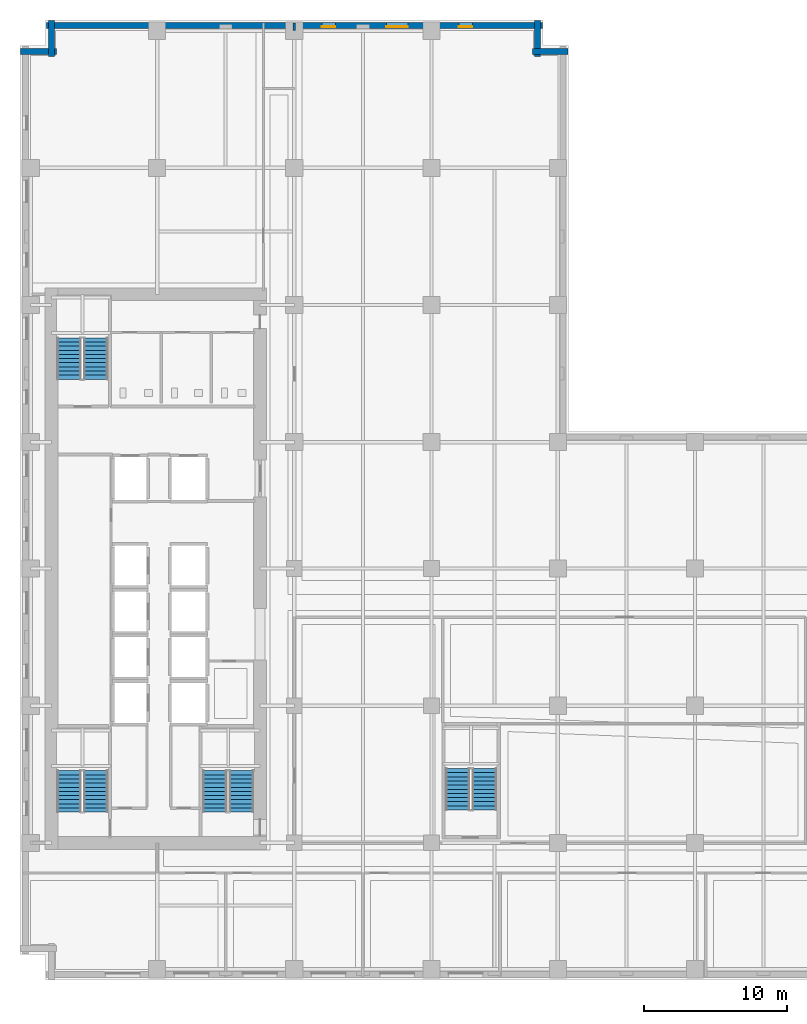
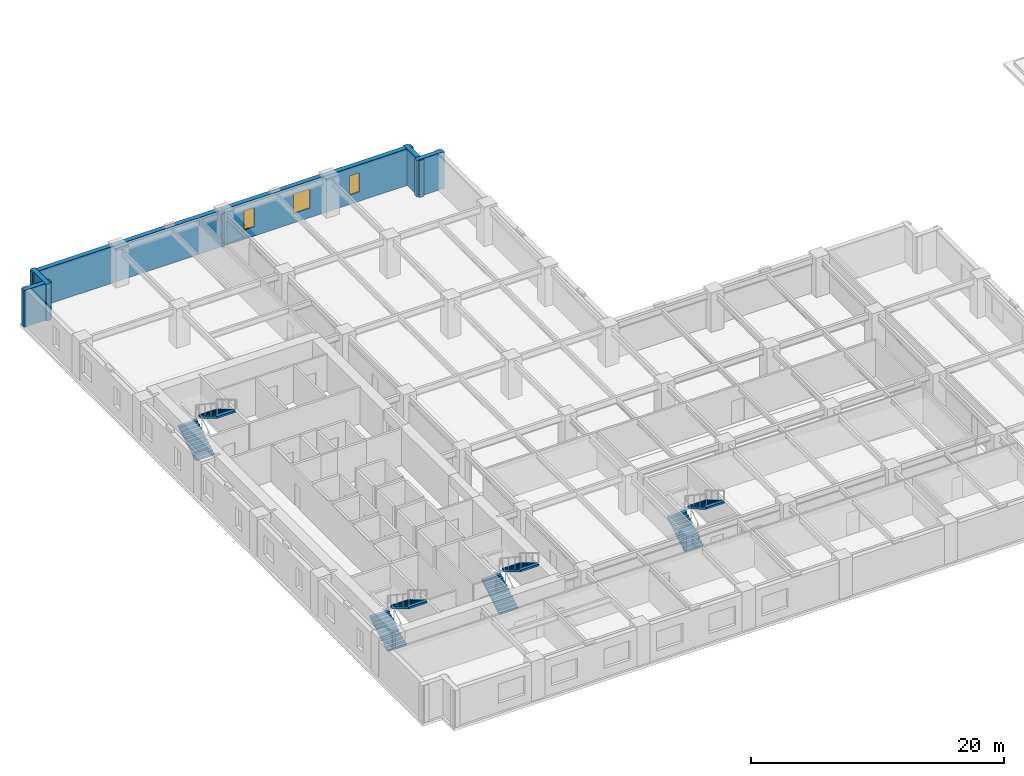
# One storey, part 8 of 14: 8 stair flights, 6 walls, 3 windows, 3 openings, 4 elements without a shape of their own.
"""IFC4 building model written with IfcOpenShell, lengths in metres."""

from ifc_helpers import new_model, si_unit, direction, frame, frame_2d, origin, place, context, subcontext, project, spatial, polyline, rectangle, outline, extrude, material, layer, layer_set, type_object, element, fill, aggregate, save


model = new_model("IFC4")

# Units and contexts
model_context = context("Model", 3, precision=1e-05, world=origin(), true_north=direction((0.0, 1.0)))
body_context = subcontext(model_context, "Body", "Model", "MODEL_VIEW")
ifc_project = project(units=[si_unit("LENGTHUNIT", "METRE"), si_unit("AREAUNIT", "SQUARE_METRE"), si_unit("VOLUMEUNIT", "CUBIC_METRE"), si_unit("PLANEANGLEUNIT", "RADIAN"), si_unit("MASSUNIT", "GRAM", prefix="KILO")], contexts=[model_context])

# Site, building, storey
site_placement = place(None, origin())
site = spatial("IfcSite", under=ifc_project, at=site_placement, CompositionType="ELEMENT")
building_placement = place(site_placement, origin())
building = spatial("IfcBuilding", under=site, at=building_placement, Name="Norrvale University Quadrangle", CompositionType="ELEMENT")
storey_placement = place(building_placement, frame((0.0, 0.0, 24.199951171875)))
storey = spatial("IfcBuildingStorey", under=building, at=storey_placement, Name="L05", CompositionType="ELEMENT", Elevation=24.199951171875)

# Walls
ifc_material_1 = material(Name="Buff Norman Clay Brick Masonry", Category="masonry")
ifc_layer_1 = layer(ifc_material_1, 0.419921875, Name="Buff Norman Clay Brick Masonry")
ifc_layer_set_1 = layer_set([ifc_layer_1], Name="Buff Norman Clay Brick Masonry")
wall_type_1 = type_object("IfcWallType", Name="Wall Buff Brick 420", PredefinedType="SOLIDWALL", material=ifc_layer_set_1)
for number, where, z_axis, x_axis, name in (
    (1, (38.360107421875, 65.010009765625, 0.0), (0.0, 0.0, 1.0), (-1.0, 0.0, 0.0), "Exterior Brick Facade Wall L05-09.1"),
    (2, (36.2099609375, 64.659912109375, 0.0), (0.0, 0.0, 1.0), (0.0, 1.0, 0.0), "Exterior Brick Facade Wall L05-10.1"),
):
    element("IfcWall", number, at=place(storey_placement, frame(where, z_axis=z_axis, x_axis=x_axis)), inside=storey, type_object=wall_type_1, Name=name, PredefinedType="SOLIDWALL", context=body_context, shape_type="SweptSolid", body=[
        extrude(rectangle(XDim=2.5, YDim=0.419921875, at=frame_2d((1.25, 0.0))), origin(), (0.0, 0.0, 1.0), 3.5400390625),
    ])

# Wall, openings, windows
wall_1_placement = place(storey_placement, frame((36.56005859375, 66.81005859375, 0.0), z_axis=(0.0, 0.0, 1.0), x_axis=(-1.0, 0.0, 0.0)))
wall_1 = element("IfcWall", 3, at=wall_1_placement, inside=storey, type_object=wall_type_1, Name="Exterior Brick Facade Wall L05-11.1", PredefinedType="SOLIDWALL", context=body_context, shape_type="SweptSolid", body=[
    extrude(rectangle(XDim=34.719970703125, YDim=0.419921875, at=frame_2d((17.35986328125, 0.0))), origin(), (0.0, 0.0, 1.0), 3.5400390625),
])
opening_1_placement = place(wall_1_placement, frame((4.885009765625, 0.0, 0.89990234375)))
opening_1 = element("IfcOpeningElement", 4, at=opening_1_placement, cuts=wall_1, Name="Opening W04", PredefinedType="OPENING", context=body_context, shape_type="SweptSolid", body=[
    extrude(rectangle(XDim=0.949951171875, YDim=1.85009765625, at=frame_2d((0.47509765625, 0.925048828125))), frame((0.0, 0.221923828125, 0.0), z_axis=(0.0, -1.0, 0.0), x_axis=(1.0, 0.0, 0.0)), (0.0, 0.0, 1.0), 0.44384765625),
])
opening_2_placement = place(wall_1_placement, frame((9.409912109375, 0.0, 0.89990234375)))
opening_2 = element("IfcOpeningElement", 5, at=opening_2_placement, cuts=wall_1, Name="Opening W03", PredefinedType="OPENING", context=body_context, shape_type="SweptSolid", body=[
    extrude(rectangle(XDim=1.5, YDim=1.85009765625, at=frame_2d((0.75, 0.925048828125))), frame((0.0, 0.221923828125, 0.0), z_axis=(0.0, -1.0, 0.0), x_axis=(1.0, 0.0, 0.0)), (0.0, 0.0, 1.0), 0.44384765625),
])
opening_3_placement = place(wall_1_placement, frame((14.485107421875, 0.0, 0.89990234375)))
opening_3 = element("IfcOpeningElement", 6, at=opening_3_placement, cuts=wall_1, Name="Opening W04", PredefinedType="OPENING", context=body_context, shape_type="SweptSolid", body=[
    extrude(rectangle(XDim=0.949951171875, YDim=1.85009765625, at=frame_2d((0.47509765625, 0.925048828125))), frame((0.0, 0.221923828125, 0.0), z_axis=(0.0, -1.0, 0.0), x_axis=(1.0, 0.0, 0.0)), (0.0, 0.0, 1.0), 0.44384765625),
])
ifc_material_2 = material(Name="Triple Low-E Argon Glazing", Category="glass")
window_type_1 = type_object("IfcWindowType", Name="Window Narrow Pier 950x2300", PartitioningType="SINGLE_PANEL", PredefinedType="WINDOW", material=ifc_material_2)
window_1_placement = place(opening_1_placement, origin())
window_1 = element("IfcWindow", 7, at=window_1_placement, inside=storey, type_object=window_type_1, Name="Window Narrow Pier 950x2300 WIN-L05-E11-1-01", OverallHeight=1.85009765625, OverallWidth=0.949951171875, PartitioningType="SINGLE_PANEL", PredefinedType="WINDOW", context=body_context, shape_type="SweptSolid", body=[
    extrude(rectangle(XDim=0.949951171875, YDim=1.85009765625, at=frame_2d((0.47509765625, 0.925048828125))), frame((0.0, 0.110107421875, 0.0), z_axis=(0.0, -1.0, 0.0), x_axis=(1.0, 0.0, 0.0)), (0.0, 0.0, 1.0), 0.06005859375),
])
fill(opening_1, window_1)
window_2_placement = place(opening_3_placement, origin())
window_2 = element("IfcWindow", 8, at=window_2_placement, inside=storey, type_object=window_type_1, Name="Window Narrow Pier 950x2300 WIN-L05-E11-1-03", OverallHeight=1.85009765625, OverallWidth=0.949951171875, PartitioningType="SINGLE_PANEL", PredefinedType="WINDOW", context=body_context, shape_type="SweptSolid", body=[
    extrude(rectangle(XDim=0.949951171875, YDim=1.85009765625, at=frame_2d((0.47509765625, 0.925048828125))), frame((0.0, 0.110107421875, 0.0), z_axis=(0.0, -1.0, 0.0), x_axis=(1.0, 0.0, 0.0)), (0.0, 0.0, 1.0), 0.06005859375),
])
fill(opening_3, window_2)
window_type_2 = type_object("IfcWindowType", Name="Window Studio 1500x2300", PartitioningType="DOUBLE_PANEL_VERTICAL", PredefinedType="WINDOW", material=ifc_material_2)
window_3_placement = place(opening_2_placement, origin())
window_3 = element("IfcWindow", 9, at=window_3_placement, inside=storey, type_object=window_type_2, Name="Window Studio 1500x2300 WIN-L05-E11-1-02", OverallHeight=1.85009765625, OverallWidth=1.5, PartitioningType="DOUBLE_PANEL_VERTICAL", PredefinedType="WINDOW", context=body_context, shape_type="SweptSolid", body=[
    extrude(rectangle(XDim=1.5, YDim=1.85009765625, at=frame_2d((0.75, 0.925048828125))), frame((0.0, 0.110107421875, 0.0), z_axis=(0.0, -1.0, 0.0), x_axis=(1.0, 0.0, 0.0)), (0.0, 0.0, 1.0), 0.06005859375),
])
fill(opening_2, window_3)

# Walls
for number, where, z_axis, x_axis, name in (
    (10, (2.18994140625, 67.159912109375, 0.0), (0.0, 0.0, 1.0), (0.0, -1.0, 0.0), "Exterior Brick Facade Wall L05-12.1"),
    (11, (2.5400390625, 65.010009765625, 0.0), (0.0, 0.0, 1.0), (-1.0, 0.0, 0.0), "Exterior Brick Facade Wall L05-13.1"),
):
    element("IfcWall", number, at=place(storey_placement, frame(where, z_axis=z_axis, x_axis=x_axis)), inside=storey, type_object=wall_type_1, Name=name, PredefinedType="SOLIDWALL", context=body_context, shape_type="SweptSolid", body=[
        extrude(rectangle(XDim=2.5, YDim=0.419921875, at=frame_2d((1.25, 0.0))), origin(), (0.0, 0.0, 1.0), 3.5400390625),
    ])
ifc_material_3 = material(Name="Fire-Rated Gypsum Stud Partition")
ifc_layer_2 = layer(ifc_material_3, 0.14990234375, Name="Fire-Rated Gypsum Stud Partition")
ifc_layer_set_2 = layer_set([ifc_layer_2], Name="Fire-Rated Gypsum Stud Partition")
wall_type_2 = type_object("IfcWallType", Name="Wall Gypsum Corridor 150", PredefinedType="PARTITIONING", material=ifc_layer_set_2)
wall_2_placement = place(storey_placement, frame((19.199951171875, 66.449951171875, 0.0), z_axis=(0.0, 0.0, 1.0), x_axis=(0.0, 1.0, 0.0)))
element("IfcWall", 12, at=wall_2_placement, inside=storey, type_object=wall_type_2, Name="Interior Partition WL-L05-NECW-B2", PredefinedType="PARTITIONING", context=body_context, shape_type="SweptSolid", body=[
    extrude(rectangle(XDim=0.530029296875, YDim=0.14990234375, at=frame_2d((0.26513671875, 0.0))), origin(), (0.0, 0.0, 1.0), 3.5400390625),
])

# Stair, stair flights
ifc_material_4 = material(Name="Concrete C40/50", Category="concrete")
stair_type = type_object("IfcStairType", Name="Stair Tower Typ 3800", PredefinedType="TWO_STRAIGHT_RUN_STAIR", material=ifc_material_4)
stair_1_placement = place(storey_placement, origin())
stair_1 = element("IfcStair", 13, at=stair_1_placement, inside=storey, type_object=stair_type, Name="Exit Stair ST-01 L05", PredefinedType="TWO_STRAIGHT_RUN_STAIR")
stair_flight_type = type_object("IfcStairFlightType", Name="Flight Typ 1500", PredefinedType="STRAIGHT", material=ifc_material_4)
stair_flight_1_placement = place(storey_placement, frame((3.429931640625, 11.75, 0.0), z_axis=(0.0, 0.0, 1.0), x_axis=(0.0, 1.0, 0.0)))
stair_flight_1 = element("IfcStairFlight", 14, at=stair_flight_1_placement, type_object=stair_flight_type, Name="Exit Stair ST-01 L05 Lower Flight", NumberOfRisers=11, NumberOfTreads=10, PredefinedType="STRAIGHT", RiserHeight=0.172727, TreadLength=0.29, context=body_context, shape_type="SweptSolid", body=[
    extrude(outline(polyline([(0.0, 0.0), (0.0, 0.172607421875), (0.2900390625, 0.172607421875), (0.2900390625, 0.345458984375), (0.580078125, 0.345458984375), (0.580078125, 0.51806640625), (0.8701171875, 0.51806640625), (0.8701171875, 0.69091796875), (1.159912109375, 0.69091796875), (1.159912109375, 0.863525390625), (1.449951171875, 0.863525390625), (1.449951171875, 1.036376953125), (1.739990234375, 1.036376953125), (1.739990234375, 1.208984375), (2.030029296875, 1.208984375), (2.030029296875, 1.3818359375), (2.320068359375, 1.3818359375), (2.320068359375, 1.554443359375), (2.610107421875, 1.554443359375), (2.610107421875, 1.727294921875), (2.89990234375, 1.727294921875), (2.89990234375, 1.89990234375), (2.89990234375, 1.552734375), (0.29296875, 0.0), (0.0, 0.0)])), frame((0.0, 0.83984375, 0.0), z_axis=(0.0, -1.0, 0.0), x_axis=(1.0, 0.0, 0.0)), (0.0, 0.0, 1.0), 1.679931640625),
])
stair_flight_2_placement = place(storey_placement, frame((5.320068359375, 14.64990234375, 1.900146484375), z_axis=(0.0, 0.0, 1.0), x_axis=(0.0, -1.0, 0.0)))
stair_flight_2 = element("IfcStairFlight", 15, at=stair_flight_2_placement, type_object=stair_flight_type, Name="Exit Stair ST-01 L05 Upper Flight", NumberOfRisers=11, NumberOfTreads=10, PredefinedType="STRAIGHT", RiserHeight=0.172727, TreadLength=0.29, context=body_context, shape_type="SweptSolid", body=[
    extrude(outline(polyline([(0.0, 0.0), (0.0, 0.172607421875), (0.2900390625, 0.172607421875), (0.2900390625, 0.345458984375), (0.580078125, 0.345458984375), (0.580078125, 0.51806640625), (0.8701171875, 0.51806640625), (0.8701171875, 0.69091796875), (1.159912109375, 0.69091796875), (1.159912109375, 0.863525390625), (1.449951171875, 0.863525390625), (1.449951171875, 1.036376953125), (1.739990234375, 1.036376953125), (1.739990234375, 1.208984375), (2.030029296875, 1.208984375), (2.030029296875, 1.3818359375), (2.320068359375, 1.3818359375), (2.320068359375, 1.554443359375), (2.610107421875, 1.554443359375), (2.610107421875, 1.727294921875), (2.89990234375, 1.727294921875), (2.89990234375, 1.89990234375), (2.89990234375, 1.552734375), (0.29296875, 0.0), (0.0, 0.0)])), frame((0.0, 0.83984375, 0.0), z_axis=(0.0, -1.0, 0.0), x_axis=(1.0, 0.0, 0.0)), (0.0, 0.0, 1.0), 1.679931640625),
])
aggregate(stair_1, [stair_flight_1, stair_flight_2])

stair_2_placement = place(storey_placement, origin())
stair_2 = element("IfcStair", 16, at=stair_2_placement, inside=storey, type_object=stair_type, Name="Exit Stair ST-02 L05", PredefinedType="TWO_STRAIGHT_RUN_STAIR")
stair_flight_3_placement = place(storey_placement, frame((3.429931640625, 42.050048828125, 0.0), z_axis=(0.0, 0.0, 1.0), x_axis=(0.0, 1.0, 0.0)))
stair_flight_3 = element("IfcStairFlight", 17, at=stair_flight_3_placement, type_object=stair_flight_type, Name="Exit Stair ST-02 L05 Lower Flight", NumberOfRisers=11, NumberOfTreads=10, PredefinedType="STRAIGHT", RiserHeight=0.172727, TreadLength=0.29, context=body_context, shape_type="SweptSolid", body=[
    extrude(outline(polyline([(0.0, 0.0), (0.0, 0.172607421875), (0.2900390625, 0.172607421875), (0.2900390625, 0.345458984375), (0.580078125, 0.345458984375), (0.580078125, 0.51806640625), (0.8701171875, 0.51806640625), (0.8701171875, 0.69091796875), (1.159912109375, 0.69091796875), (1.159912109375, 0.863525390625), (1.449951171875, 0.863525390625), (1.449951171875, 1.036376953125), (1.739990234375, 1.036376953125), (1.739990234375, 1.208984375), (2.030029296875, 1.208984375), (2.030029296875, 1.3818359375), (2.320068359375, 1.3818359375), (2.320068359375, 1.554443359375), (2.610107421875, 1.554443359375), (2.610107421875, 1.727294921875), (2.89990234375, 1.727294921875), (2.89990234375, 1.89990234375), (2.89990234375, 1.552734375), (0.29296875, 0.0), (0.0, 0.0)])), frame((0.0, 0.83984375, 0.0), z_axis=(0.0, -1.0, 0.0), x_axis=(1.0, 0.0, 0.0)), (0.0, 0.0, 1.0), 1.679931640625),
])
stair_flight_4_placement = place(storey_placement, frame((5.320068359375, 44.949951171875, 1.900146484375), z_axis=(0.0, 0.0, 1.0), x_axis=(0.0, -1.0, 0.0)))
stair_flight_4 = element("IfcStairFlight", 18, at=stair_flight_4_placement, type_object=stair_flight_type, Name="Exit Stair ST-02 L05 Upper Flight", NumberOfRisers=11, NumberOfTreads=10, PredefinedType="STRAIGHT", RiserHeight=0.172727, TreadLength=0.29, context=body_context, shape_type="SweptSolid", body=[
    extrude(outline(polyline([(0.0, 0.0), (0.0, 0.172607421875), (0.2900390625, 0.172607421875), (0.2900390625, 0.345458984375), (0.580078125, 0.345458984375), (0.580078125, 0.51806640625), (0.8701171875, 0.51806640625), (0.8701171875, 0.69091796875), (1.159912109375, 0.69091796875), (1.159912109375, 0.863525390625), (1.449951171875, 0.863525390625), (1.449951171875, 1.036376953125), (1.739990234375, 1.036376953125), (1.739990234375, 1.208984375), (2.030029296875, 1.208984375), (2.030029296875, 1.3818359375), (2.320068359375, 1.3818359375), (2.320068359375, 1.554443359375), (2.610107421875, 1.554443359375), (2.610107421875, 1.727294921875), (2.89990234375, 1.727294921875), (2.89990234375, 1.89990234375), (2.89990234375, 1.552734375), (0.29296875, 0.0), (0.0, 0.0)])), frame((0.0, 0.83984375, 0.0), z_axis=(0.0, -1.0, 0.0), x_axis=(1.0, 0.0, 0.0)), (0.0, 0.0, 1.0), 1.679931640625),
])
aggregate(stair_2, [stair_flight_3, stair_flight_4])

stair_3_placement = place(storey_placement, origin())
stair_3 = element("IfcStair", 19, at=stair_3_placement, inside=storey, type_object=stair_type, Name="Exit Stair ST-03 L05", PredefinedType="TWO_STRAIGHT_RUN_STAIR")
stair_flight_5_placement = place(storey_placement, frame((13.6298828125, 11.75, 0.0), z_axis=(0.0, 0.0, 1.0), x_axis=(0.0, 1.0, 0.0)))
stair_flight_5 = element("IfcStairFlight", 20, at=stair_flight_5_placement, type_object=stair_flight_type, Name="Exit Stair ST-03 L05 Lower Flight", NumberOfRisers=11, NumberOfTreads=10, PredefinedType="STRAIGHT", RiserHeight=0.172727, TreadLength=0.29, context=body_context, shape_type="SweptSolid", body=[
    extrude(outline(polyline([(0.0, 0.0), (0.0, 0.172607421875), (0.2900390625, 0.172607421875), (0.2900390625, 0.345458984375), (0.580078125, 0.345458984375), (0.580078125, 0.51806640625), (0.8701171875, 0.51806640625), (0.8701171875, 0.69091796875), (1.159912109375, 0.69091796875), (1.159912109375, 0.863525390625), (1.449951171875, 0.863525390625), (1.449951171875, 1.036376953125), (1.739990234375, 1.036376953125), (1.739990234375, 1.208984375), (2.030029296875, 1.208984375), (2.030029296875, 1.3818359375), (2.320068359375, 1.3818359375), (2.320068359375, 1.554443359375), (2.610107421875, 1.554443359375), (2.610107421875, 1.727294921875), (2.89990234375, 1.727294921875), (2.89990234375, 1.89990234375), (2.89990234375, 1.552734375), (0.29296875, 0.0), (0.0, 0.0)])), frame((0.0, 0.83984375, 0.0), z_axis=(0.0, -1.0, 0.0), x_axis=(1.0, 0.0, 0.0)), (0.0, 0.0, 1.0), 1.679931640625),
])
stair_flight_6_placement = place(storey_placement, frame((15.52001953125, 14.64990234375, 1.900146484375), z_axis=(0.0, 0.0, 1.0), x_axis=(0.0, -1.0, 0.0)))
stair_flight_6 = element("IfcStairFlight", 21, at=stair_flight_6_placement, type_object=stair_flight_type, Name="Exit Stair ST-03 L05 Upper Flight", NumberOfRisers=11, NumberOfTreads=10, PredefinedType="STRAIGHT", RiserHeight=0.172727, TreadLength=0.29, context=body_context, shape_type="SweptSolid", body=[
    extrude(outline(polyline([(0.0, 0.0), (0.0, 0.172607421875), (0.2900390625, 0.172607421875), (0.2900390625, 0.345458984375), (0.580078125, 0.345458984375), (0.580078125, 0.51806640625), (0.8701171875, 0.51806640625), (0.8701171875, 0.69091796875), (1.159912109375, 0.69091796875), (1.159912109375, 0.863525390625), (1.449951171875, 0.863525390625), (1.449951171875, 1.036376953125), (1.739990234375, 1.036376953125), (1.739990234375, 1.208984375), (2.030029296875, 1.208984375), (2.030029296875, 1.3818359375), (2.320068359375, 1.3818359375), (2.320068359375, 1.554443359375), (2.610107421875, 1.554443359375), (2.610107421875, 1.727294921875), (2.89990234375, 1.727294921875), (2.89990234375, 1.89990234375), (2.89990234375, 1.552734375), (0.29296875, 0.0), (0.0, 0.0)])), frame((0.0, 0.83984375, 0.0), z_axis=(0.0, -1.0, 0.0), x_axis=(1.0, 0.0, 0.0)), (0.0, 0.0, 1.0), 1.679931640625),
])
aggregate(stair_3, [stair_flight_5, stair_flight_6])

stair_4_placement = place(storey_placement, origin())
stair_4 = element("IfcStair", 22, at=stair_4_placement, inside=storey, type_object=stair_type, Name="Exit Stair ST-04 L05", PredefinedType="TWO_STRAIGHT_RUN_STAIR")
stair_flight_7_placement = place(storey_placement, frame((30.6298828125, 11.89990234375, 0.0), z_axis=(0.0, 0.0, 1.0), x_axis=(0.0, 1.0, 0.0)))
stair_flight_7 = element("IfcStairFlight", 23, at=stair_flight_7_placement, type_object=stair_flight_type, Name="Exit Stair ST-04 L05 Lower Flight", NumberOfRisers=11, NumberOfTreads=10, PredefinedType="STRAIGHT", RiserHeight=0.172727, TreadLength=0.29, context=body_context, shape_type="SweptSolid", body=[
    extrude(outline(polyline([(0.0, 0.0), (0.0, 0.172607421875), (0.2900390625, 0.172607421875), (0.2900390625, 0.345458984375), (0.580078125, 0.345458984375), (0.580078125, 0.51806640625), (0.8701171875, 0.51806640625), (0.8701171875, 0.69091796875), (1.159912109375, 0.69091796875), (1.159912109375, 0.863525390625), (1.449951171875, 0.863525390625), (1.449951171875, 1.036376953125), (1.739990234375, 1.036376953125), (1.739990234375, 1.208984375), (2.030029296875, 1.208984375), (2.030029296875, 1.3818359375), (2.320068359375, 1.3818359375), (2.320068359375, 1.554443359375), (2.610107421875, 1.554443359375), (2.610107421875, 1.727294921875), (2.89990234375, 1.727294921875), (2.89990234375, 1.89990234375), (2.89990234375, 1.552734375), (0.29296875, 0.0), (0.0, 0.0)])), frame((0.0, 0.83984375, 0.0), z_axis=(0.0, -1.0, 0.0), x_axis=(1.0, 0.0, 0.0)), (0.0, 0.0, 1.0), 1.679931640625),
])
stair_flight_8_placement = place(storey_placement, frame((32.52001953125, 14.800048828125, 1.900146484375), z_axis=(0.0, 0.0, 1.0), x_axis=(0.0, -1.0, 0.0)))
stair_flight_8 = element("IfcStairFlight", 24, at=stair_flight_8_placement, type_object=stair_flight_type, Name="Exit Stair ST-04 L05 Upper Flight", NumberOfRisers=11, NumberOfTreads=10, PredefinedType="STRAIGHT", RiserHeight=0.172727, TreadLength=0.29, context=body_context, shape_type="SweptSolid", body=[
    extrude(outline(polyline([(0.0, 0.0), (0.0, 0.172607421875), (0.2900390625, 0.172607421875), (0.2900390625, 0.345458984375), (0.580078125, 0.345458984375), (0.580078125, 0.51806640625), (0.8701171875, 0.51806640625), (0.8701171875, 0.69091796875), (1.159912109375, 0.69091796875), (1.159912109375, 0.863525390625), (1.449951171875, 0.863525390625), (1.449951171875, 1.036376953125), (1.739990234375, 1.036376953125), (1.739990234375, 1.208984375), (2.030029296875, 1.208984375), (2.030029296875, 1.3818359375), (2.320068359375, 1.3818359375), (2.320068359375, 1.554443359375), (2.610107421875, 1.554443359375), (2.610107421875, 1.727294921875), (2.89990234375, 1.727294921875), (2.89990234375, 1.89990234375), (2.89990234375, 1.552734375), (0.29296875, 0.0), (0.0, 0.0)])), frame((0.0, 0.83984375, 0.0), z_axis=(0.0, -1.0, 0.0), x_axis=(1.0, 0.0, 0.0)), (0.0, 0.0, 1.0), 1.679931640625),
])
aggregate(stair_4, [stair_flight_7, stair_flight_8])

save(model, "model.ifc")
